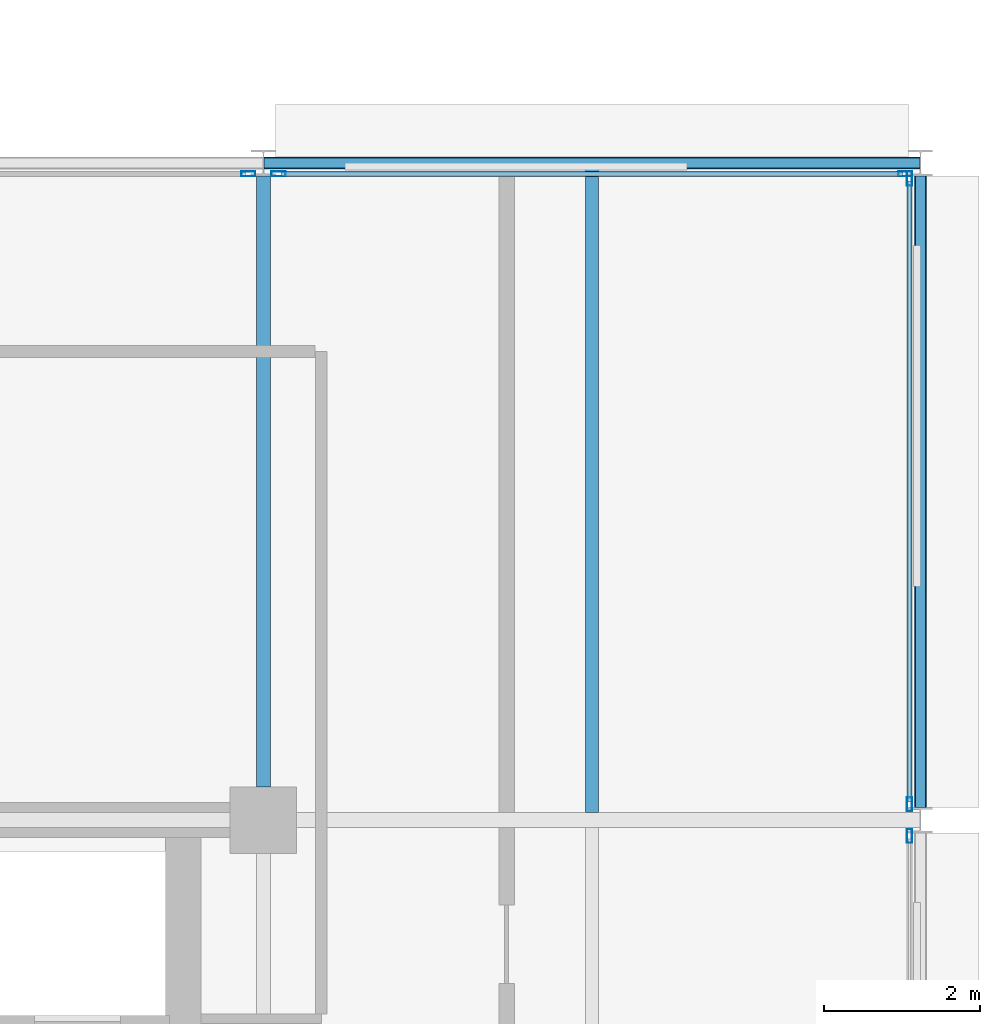
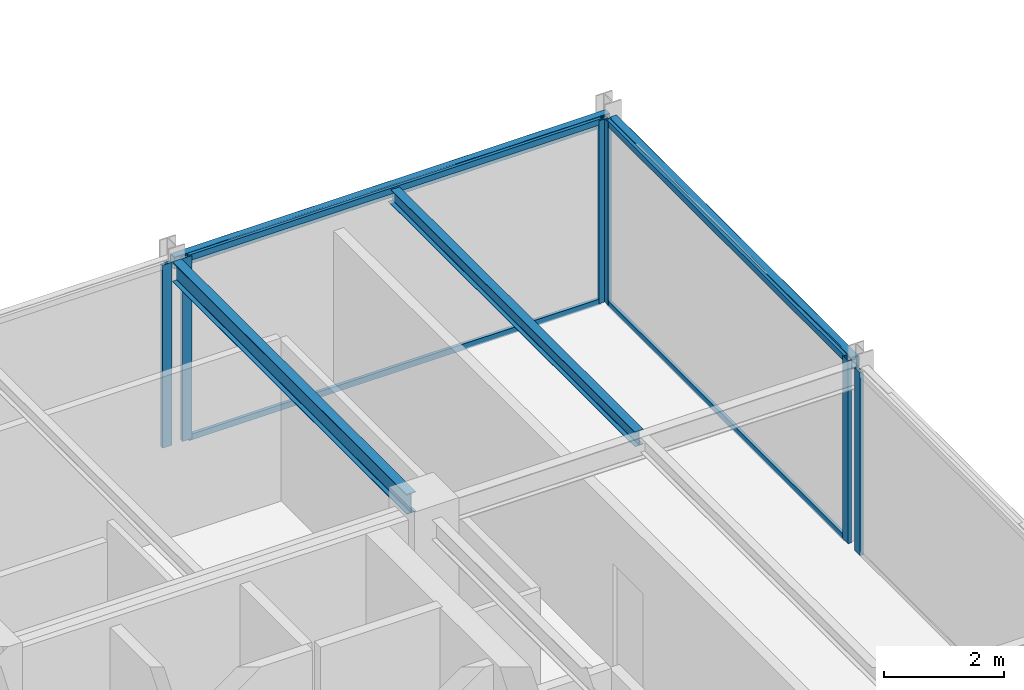
# One storey, part 16 of 27: 10 members, 4 beams, 4 elements without a shape of their own.
"""IFC4 building model written with IfcOpenShell, lengths in metres."""

from ifc_helpers import new_model, si_unit, direction, frame, origin, origin_2d, place, context, subcontext, project, spatial, hollow_rectangle, i_section, extrude, material, layer, layer_set, material_profile, profile_set, type_object, element, aggregate, save


model = new_model("IFC4")

# Units and contexts
model_context = context("Model", 3, precision=1e-05, world=origin(), true_north=direction((0.0, 1.0)))
body_context = subcontext(model_context, "Body", "Model", "MODEL_VIEW")
ifc_project = project(units=[si_unit("LENGTHUNIT", "METRE"), si_unit("AREAUNIT", "SQUARE_METRE"), si_unit("VOLUMEUNIT", "CUBIC_METRE"), si_unit("PLANEANGLEUNIT", "RADIAN"), si_unit("MASSUNIT", "GRAM", prefix="KILO")], contexts=[model_context])

# Site, building, storey
site_placement = place(None, origin())
site = spatial("IfcSite", under=ifc_project, at=site_placement, CompositionType="ELEMENT")
building_placement = place(site_placement, origin())
building = spatial("IfcBuilding", under=site, at=building_placement, Name="Nerrivon Quay Data Exchange", CompositionType="ELEMENT")
storey_placement = place(building_placement, frame((0.0, 0.0, 278.199951171875)))
storey = spatial("IfcBuildingStorey", under=building, at=storey_placement, Name="L66", CompositionType="ELEMENT", Elevation=278.199951171875)

# Beams
ifc_material_1 = material(Name="Steel Grade 350", Category="steel")
ifc_material_profile_1 = material_profile(ifc_material_1, i_section(OverallWidth=0.177978515625, OverallDepth=0.406005859375, WebThickness=0.0078125, FlangeThickness=0.0126953125, FilletRadius=0.011474609375, at=origin_2d()), Name="410UB59.7")
ifc_profile_set_1 = profile_set([ifc_material_profile_1], Name="Steel Grade 350")
beam_type_1 = type_object("IfcBeamType", Name="BM-J1-410UB60", PredefinedType="JOIST", material=ifc_profile_set_1)
beam_1_placement = place(storey_placement, frame((33.60009765625, 17.22509765625, 3.52197265625), z_axis=(0.0, 1.0, 0.0), x_axis=(-1.0, 0.0, 0.0)))
element("IfcBeam", 1, at=beam_1_placement, inside=storey, type_object=beam_type_1, Name="L66 NS Girder X=33.6 (16.8..25.2)", PredefinedType="JOIST", context=body_context, shape_type="SweptSolid", body=[
    extrude(i_section(OverallWidth=0.177978515625, OverallDepth=0.406005859375, WebThickness=0.0078125, FlangeThickness=0.0126953125, FilletRadius=0.011474609375, at=origin_2d()), origin(), (0.0, 0.0, 1.0), 7.8115234375),
])
ifc_material_profile_2 = material_profile(ifc_material_1, i_section(OverallWidth=0.1650390625, OverallDepth=0.303955078125, WebThickness=0.006103515625, FlangeThickness=0.01025390625, FilletRadius=0.011474609375, at=origin_2d()), Name="310UB40.4")
ifc_profile_set_2 = profile_set([ifc_material_profile_2], Name="Steel Grade 350")
beam_type_2 = type_object("IfcBeamType", Name="BM-J6-310UB40", PredefinedType="JOIST", material=ifc_profile_set_2)
beam_2_placement = place(storey_placement, frame((37.800048828125, 16.89501953125, 3.572998046875), z_axis=(0.0, 1.0, 0.0), x_axis=(-1.0, 0.0, 0.0)))
element("IfcBeam", 2, at=beam_2_placement, inside=storey, type_object=beam_type_2, Name="L66 Secondary Joist X=37.8 (16.8..25.2)", PredefinedType="JOIST", context=body_context, shape_type="SweptSolid", body=[
    extrude(i_section(OverallWidth=0.1650390625, OverallDepth=0.303955078125, WebThickness=0.006103515625, FlangeThickness=0.01025390625, FilletRadius=0.011474609375, at=origin_2d()), origin(), (0.0, 0.0, 1.0), 8.22998046875),
])
ifc_material_2 = material(Name="Steel Grade C350L0 (350 MPa)", Category="steel")
ifc_material_profile_3 = material_profile(ifc_material_2, hollow_rectangle(XDim=0.14990234375, YDim=0.25, WallThickness=0.009033203125, InnerFilletRadius=0.013427734375, OuterFilletRadius=0.0224609375, at=origin_2d()), Name="250x150x9.0RHS")
ifc_profile_set_3 = profile_set([ifc_material_profile_3], Name="Steel Grade C350L0 (350 MPa)")
beam_type_3 = type_object("IfcBeamType", Name="BM-SP4-250x150RHS", PredefinedType="SPANDREL", material=ifc_profile_set_3)
beam_3_placement = place(storey_placement, frame((33.60791015625, 25.199951171875, 3.60009765625), z_axis=(1.0, 0.0, 0.0), x_axis=(0.0, 1.0, 0.0)))
element("IfcBeam", 3, at=beam_3_placement, inside=storey, type_object=beam_type_3, Name="L66 EW Girder Y=25.2 (33.6..42.0)", PredefinedType="SPANDREL", context=body_context, shape_type="SweptSolid", body=[
    extrude(hollow_rectangle(XDim=0.14990234375, YDim=0.25, WallThickness=0.009033203125, InnerFilletRadius=0.013427734375, OuterFilletRadius=0.0224609375, at=origin_2d()), origin(), (0.0, 0.0, 1.0), 8.38427734375),
])
beam_4_placement = place(storey_placement, frame((42.0, 16.96337890625, 3.60009765625), z_axis=(0.0, 1.0, 0.0), x_axis=(-1.0, 0.0, 0.0)))
element("IfcBeam", 4, at=beam_4_placement, inside=storey, type_object=beam_type_3, Name="L66 NS Girder X=42.0 (16.8..25.2)", PredefinedType="SPANDREL", context=body_context, shape_type="SweptSolid", body=[
    extrude(hollow_rectangle(XDim=0.14990234375, YDim=0.25, WallThickness=0.009033203125, InnerFilletRadius=0.013427734375, OuterFilletRadius=0.0224609375, at=origin_2d()), origin(), (0.0, 0.0, 1.0), 8.0732421875),
])

# Curtain wall, member
ifc_material_3 = material(Name="Anodised aluminium 6063-T6", Category="aluminium")
ifc_layer = layer(ifc_material_3, 0.195068359375)
ifc_layer_set = layer_set([ifc_layer], Name="Anodised aluminium 6063-T6")
curtain_wall_type = type_object("IfcCurtainWallType", Name="CW-SYS-06", PredefinedType="NOTDEFINED", material=ifc_layer_set)
curtain_wall_1_placement = place(storey_placement, origin())
curtain_wall_1 = element("IfcCurtainWall", 5, at=curtain_wall_1_placement, inside=storey, type_object=curtain_wall_type, Name="L66 Unitised Curtain Wall 24", PredefinedType="NOTDEFINED")
ifc_material_profile_4 = material_profile(ifc_material_3, hollow_rectangle(XDim=0.06494140625, YDim=0.179931640625, WallThickness=0.00341796875, at=origin_2d()), Name="ALU-MULL-180x65")
ifc_profile_set_4 = profile_set([ifc_material_profile_4], Name="Anodised aluminium 6063-T6")
member_type_1 = type_object("IfcMemberType", Name="CWM-180x65", PredefinedType="MULLION", material=ifc_profile_set_4)
member_1_placement = place(storey_placement, frame((33.406982421875, 25.06005859375, 0.0), z_axis=(0.0, 0.0, 1.0), x_axis=(0.0, 1.0, 0.0)))
member_1 = element("IfcMember", 6, at=member_1_placement, type_object=member_type_1, Name="CW06 mullion 2", PredefinedType="MULLION", context=body_context, shape_type="SweptSolid", body=[
    extrude(hollow_rectangle(XDim=0.06494140625, YDim=0.179931640625, WallThickness=0.00341796875, at=origin_2d()), origin(), (0.0, 0.0, 1.0), 3.72509765625),
])
aggregate(curtain_wall_1, [member_1])

# Curtain wall, members
curtain_wall_2_placement = place(storey_placement, origin())
curtain_wall_2 = element("IfcCurtainWall", 7, at=curtain_wall_2_placement, inside=storey, type_object=curtain_wall_type, Name="L66 Unitised Curtain Wall 25", PredefinedType="NOTDEFINED")
member_2_placement = place(storey_placement, frame((33.79296875, 25.06005859375, 0.0), z_axis=(0.0, 0.0, 1.0), x_axis=(0.0, 1.0, 0.0)))
member_2 = element("IfcMember", 8, at=member_2_placement, type_object=member_type_1, Name="CW06 mullion 1", PredefinedType="MULLION", context=body_context, shape_type="SweptSolid", body=[
    extrude(hollow_rectangle(XDim=0.06494140625, YDim=0.179931640625, WallThickness=0.00341796875, at=origin_2d()), origin(), (0.0, 0.0, 1.0), 3.72509765625),
])
member_3_placement = place(storey_placement, frame((41.806884765625, 25.06005859375, 0.0), z_axis=(0.0, 0.0, 1.0), x_axis=(0.0, 1.0, 0.0)))
member_3 = element("IfcMember", 9, at=member_3_placement, type_object=member_type_1, Name="CW06 mullion 2", PredefinedType="MULLION", context=body_context, shape_type="SweptSolid", body=[
    extrude(hollow_rectangle(XDim=0.06494140625, YDim=0.179931640625, WallThickness=0.00341796875, at=origin_2d()), origin(), (0.0, 0.0, 1.0), 3.72509765625),
])

curtain_wall_3_placement = place(storey_placement, origin())
curtain_wall_3 = element("IfcCurtainWall", 10, at=curtain_wall_3_placement, inside=storey, type_object=curtain_wall_type, Name="L66 Unitised Curtain Wall 26", PredefinedType="NOTDEFINED")
member_4_placement = place(storey_placement, frame((41.860107421875, 24.9990234375, 0.0), z_axis=(0.0, 0.0, 1.0), x_axis=(1.0, 0.0, 0.0)))
member_4 = element("IfcMember", 11, at=member_4_placement, type_object=member_type_1, Name="CW06 mullion 1", PredefinedType="MULLION", context=body_context, shape_type="SweptSolid", body=[
    extrude(hollow_rectangle(XDim=0.06494140625, YDim=0.179931640625, WallThickness=0.00341796875, at=origin_2d()), origin(), (0.0, 0.0, 1.0), 3.72509765625),
])
member_5_placement = place(storey_placement, frame((41.860107421875, 17.0009765625, 0.0), z_axis=(0.0, 0.0, 1.0), x_axis=(1.0, 0.0, 0.0)))
member_5 = element("IfcMember", 12, at=member_5_placement, type_object=member_type_1, Name="CW06 mullion 2", PredefinedType="MULLION", context=body_context, shape_type="SweptSolid", body=[
    extrude(hollow_rectangle(XDim=0.06494140625, YDim=0.179931640625, WallThickness=0.00341796875, at=origin_2d()), origin(), (0.0, 0.0, 1.0), 3.72509765625),
])

# Curtain wall, member
curtain_wall_4_placement = place(storey_placement, origin())
curtain_wall_4 = element("IfcCurtainWall", 13, at=curtain_wall_4_placement, inside=storey, type_object=curtain_wall_type, Name="L66 Unitised Curtain Wall 27", PredefinedType="NOTDEFINED")
member_6_placement = place(storey_placement, frame((41.860107421875, 16.59912109375, 0.0), z_axis=(0.0, 0.0, 1.0), x_axis=(1.0, 0.0, 0.0)))
member_6 = element("IfcMember", 14, at=member_6_placement, type_object=member_type_1, Name="CW06 mullion 1", PredefinedType="MULLION", context=body_context, shape_type="SweptSolid", body=[
    extrude(hollow_rectangle(XDim=0.06494140625, YDim=0.179931640625, WallThickness=0.00341796875, at=origin_2d()), origin(), (0.0, 0.0, 1.0), 3.72509765625),
])
aggregate(curtain_wall_4, [member_6])

# Member
ifc_material_profile_5 = material_profile(ifc_material_3, hollow_rectangle(XDim=0.06005859375, YDim=0.1201171875, WallThickness=0.003173828125, at=origin_2d()), Name="ALU-TRAN-120x60")
ifc_profile_set_5 = profile_set([ifc_material_profile_5], Name="Anodised aluminium 6063-T6")
member_type_2 = type_object("IfcMemberType", Name="CWT-120x60", PredefinedType="USERDEFINED", material=ifc_profile_set_5)
member_7_placement = place(storey_placement, frame((33.83056640625, 25.06005859375, 0.032470703125), z_axis=(1.0, 0.0, 0.0), x_axis=(0.0, 1.0, 0.0)))
member_7 = element("IfcMember", 15, at=member_7_placement, type_object=member_type_2, Name="CW06 transom 1.1", ObjectType="TRANSOM", PredefinedType="USERDEFINED", context=body_context, shape_type="SweptSolid", body=[
    extrude(hollow_rectangle(XDim=0.06005859375, YDim=0.1201171875, WallThickness=0.003173828125, at=origin_2d()), origin(), (0.0, 0.0, 1.0), 7.93896484375),
])

member_8_placement = place(storey_placement, frame((33.83056640625, 25.06005859375, 3.692626953125), z_axis=(1.0, 0.0, 0.0), x_axis=(0.0, 1.0, 0.0)))
member_8 = element("IfcMember", 16, at=member_8_placement, type_object=member_type_2, Name="CW06 transom 1.2", ObjectType="TRANSOM", PredefinedType="USERDEFINED", context=body_context, shape_type="SweptSolid", body=[
    extrude(hollow_rectangle(XDim=0.06005859375, YDim=0.1201171875, WallThickness=0.003173828125, at=origin_2d()), origin(), (0.0, 0.0, 1.0), 7.93896484375),
])

aggregate(curtain_wall_2, [member_2, member_3, member_7, member_8])

member_9_placement = place(storey_placement, frame((41.860107421875, 24.96142578125, 0.032470703125), z_axis=(0.0, -1.0, 0.0), x_axis=(1.0, 0.0, 0.0)))
member_9 = element("IfcMember", 17, at=member_9_placement, type_object=member_type_2, Name="CW06 transom 1.1", ObjectType="TRANSOM", PredefinedType="USERDEFINED", context=body_context, shape_type="SweptSolid", body=[
    extrude(hollow_rectangle(XDim=0.06005859375, YDim=0.1201171875, WallThickness=0.003173828125, at=origin_2d()), origin(), (0.0, 0.0, 1.0), 7.9228515625),
])

member_10_placement = place(storey_placement, frame((41.860107421875, 24.96142578125, 3.692626953125), z_axis=(0.0, -1.0, 0.0), x_axis=(1.0, 0.0, 0.0)))
member_10 = element("IfcMember", 18, at=member_10_placement, type_object=member_type_2, Name="CW06 transom 1.2", ObjectType="TRANSOM", PredefinedType="USERDEFINED", context=body_context, shape_type="SweptSolid", body=[
    extrude(hollow_rectangle(XDim=0.06005859375, YDim=0.1201171875, WallThickness=0.003173828125, at=origin_2d()), origin(), (0.0, 0.0, 1.0), 7.9228515625),
])

aggregate(curtain_wall_3, [member_4, member_5, member_9, member_10])

save(model, "model.ifc")
